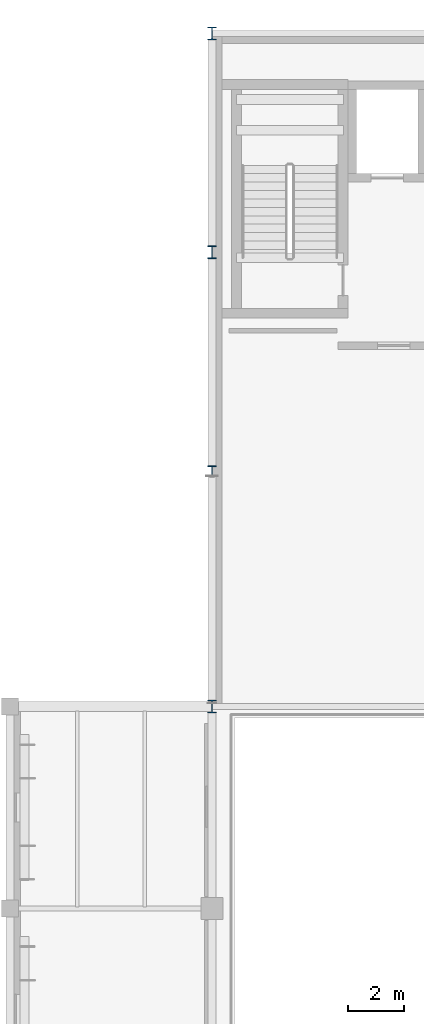
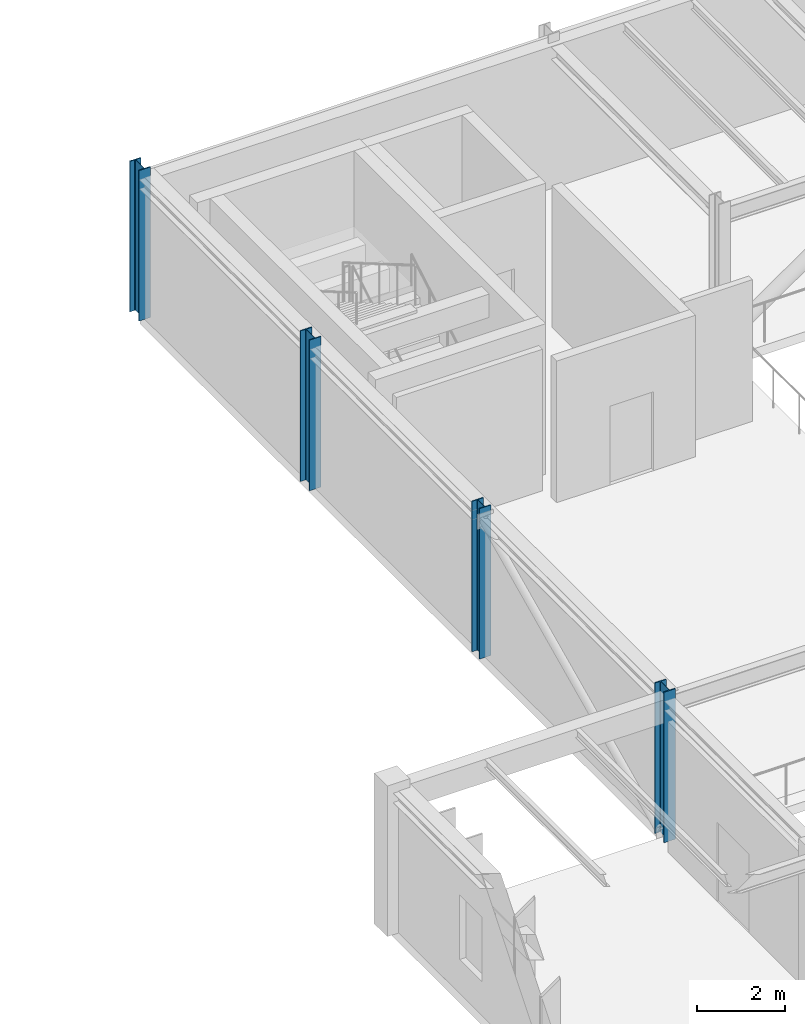
# One storey, part 7 of 104: 4 columns.
"""IFC4 building model written with IfcOpenShell, lengths in metres."""

from ifc_helpers import new_model, si_unit, direction, frame, origin, origin_2d, place, context, subcontext, project, spatial, i_section, extrude, material, material_profile, profile_set, type_object, element, save


model = new_model("IFC4")

# Units and contexts
model_context = context("Model", 3, precision=1e-05, world=origin(), true_north=direction((0.0, 1.0)))
body_context = subcontext(model_context, "Body", "Model", "MODEL_VIEW")
ifc_project = project(units=[si_unit("LENGTHUNIT", "METRE"), si_unit("AREAUNIT", "SQUARE_METRE"), si_unit("VOLUMEUNIT", "CUBIC_METRE"), si_unit("PLANEANGLEUNIT", "RADIAN"), si_unit("MASSUNIT", "GRAM", prefix="KILO")], contexts=[model_context])

# Site, building, storey
site_placement = place(None, origin())
site = spatial("IfcSite", under=ifc_project, at=site_placement, CompositionType="ELEMENT")
building_placement = place(site_placement, origin())
building = spatial("IfcBuilding", under=site, at=building_placement, Name="Tazoul Stagehouse", CompositionType="ELEMENT")
storey_placement = place(building_placement, frame((0.0, 0.0, 9.0)))
storey = spatial("IfcBuildingStorey", under=building, at=storey_placement, Name="L02", CompositionType="ELEMENT", Elevation=9.0)

# Columns
ifc_material = material(Name="Steel S355", Category="steel")
ifc_material_profile_1 = material_profile(ifc_material, i_section(OverallWidth=0.300048828125, OverallDepth=0.360107421875, WebThickness=0.012451171875, FlangeThickness=0.0224609375, FilletRadius=0.027099609375, at=origin_2d()), Name="HEB 360")
ifc_profile_set_1 = profile_set([ifc_material_profile_1], Name="Steel S355")
column_type_1 = type_object("IfcColumnType", Name="Steel Column HEB 360 (Exterior)", PredefinedType="COLUMN", material=ifc_profile_set_1)
column_placement = place(storey_placement, frame((57.60009765625, 96.199951171875, 0.0), z_axis=(0.0, 0.0, 1.0), x_axis=(1.0, 0.0, 0.0)))
element("IfcColumn", 1, at=column_placement, inside=storey, type_object=column_type_1, Name="L02 Column SC-03E at 8/P", PredefinedType="COLUMN", context=body_context, shape_type="SweptSolid", body=[
    extrude(i_section(OverallWidth=0.300048828125, OverallDepth=0.360107421875, WebThickness=0.012451171875, FlangeThickness=0.0224609375, FilletRadius=0.027099609375, at=origin_2d()), origin(), (0.0, 0.0, 1.0), 4.199951171875),
])
ifc_material_profile_2 = material_profile(ifc_material, i_section(OverallWidth=0.300048828125, OverallDepth=0.449951171875, WebThickness=0.013916015625, FlangeThickness=0.02587890625, FilletRadius=0.027099609375, at=origin_2d()), Name="HEB 450")
ifc_profile_set_2 = profile_set([ifc_material_profile_2], Name="Steel S355")
column_type_2 = type_object("IfcColumnType", Name="Steel Column HEB 450 (Exterior)", PredefinedType="COLUMN", material=ifc_profile_set_2)
for number, where, z_axis, x_axis, name in (
    (2, (57.60009765625, 87.800048828125, 0.0), (0.0, 0.0, 1.0), (1.0, 0.0, 0.0), "L02 Column SC-05E at 8/N"),
    (3, (57.60009765625, 104.0, 0.0), (0.0, 0.0, 1.0), (1.0, 0.0, 0.0), "L02 Column SC-05E at 8/Q"),
    (4, (57.60009765625, 111.800048828125, 0.0), (0.0, 0.0, 1.0), (1.0, 0.0, 0.0), "L02 Column SC-05E at 8/R"),
):
    element("IfcColumn", number, at=place(storey_placement, frame(where, z_axis=z_axis, x_axis=x_axis)), inside=storey, type_object=column_type_2, Name=name, PredefinedType="COLUMN", context=body_context, shape_type="SweptSolid", body=[
        extrude(i_section(OverallWidth=0.300048828125, OverallDepth=0.449951171875, WebThickness=0.013916015625, FlangeThickness=0.02587890625, FilletRadius=0.027099609375, at=origin_2d()), origin(), (0.0, 0.0, 1.0), 4.199951171875),
    ])

save(model, "model.ifc")
